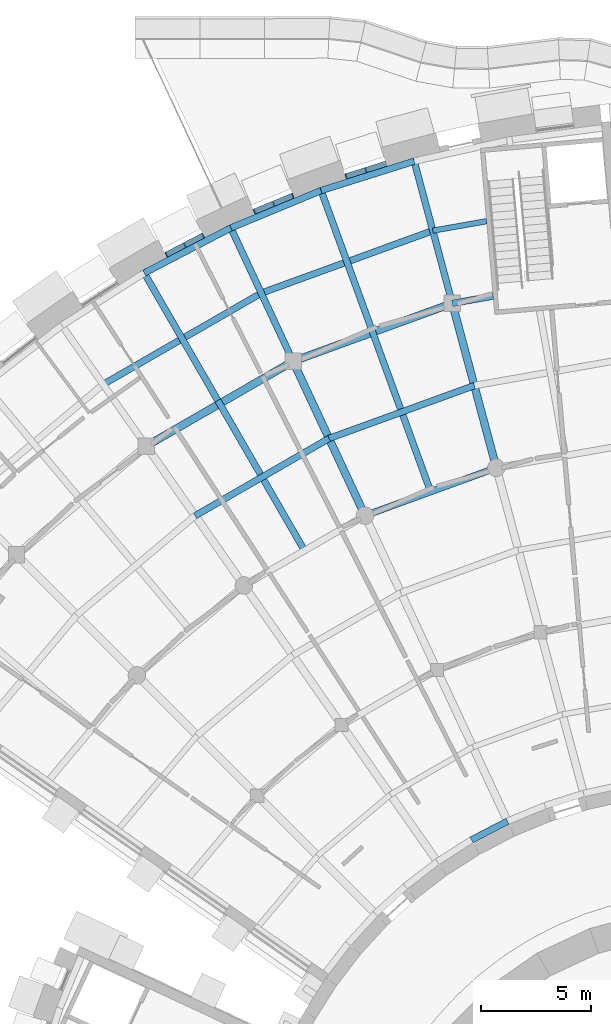
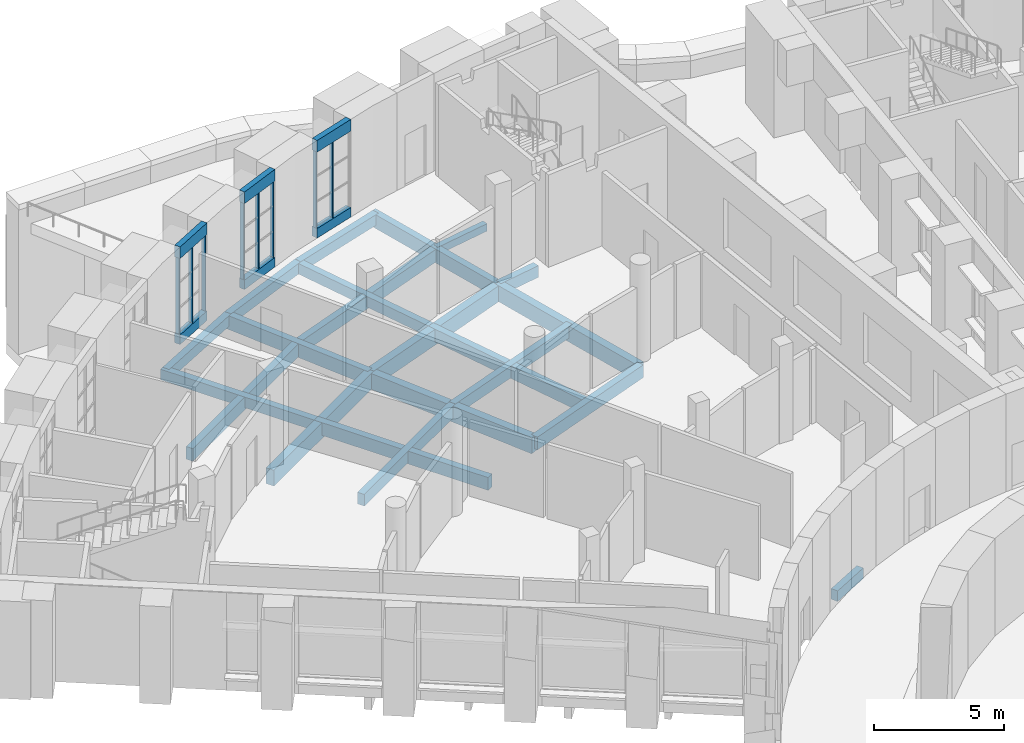
# One storey, part 25 of 85: 27 beams, 8 members, 3 elements without a shape of their own.
"""IFC4 building model written with IfcOpenShell, lengths in metres."""

import ifcopenshell
import ifcopenshell.guid

model = None  # the IFC model being written
_history = None  # IfcOwnerHistory: only IFC2X3 demands one
_inside = {}  # id of a spatial element -> (the spatial element, [elements in it])
_under = {}  # id of a project, library or spatial element -> (it, [spatial elements below it])
_declared = {}  # id of a project -> (the project, [libraries it declares])
_typed = {}  # id of a type object -> (the type object, [elements of that type])
_made_of = {}  # id of a material, layer set ... -> (it, [elements and type objects made of it])


def new_model(schema):
    """Start an empty IFC model of exactly this schema.

    Asked for "IFC4X3", IfcOpenShell would pick the latest addendum, in which some entities
    have other attributes; the version numbers below select the first issue.
    IFC2X3 requires an IfcOwnerHistory on every rooted entity: one is made here for all.
    """
    global model, _history
    if schema == "IFC4X3":
        model = ifcopenshell.file(schema_version=(4, 3, 0, 0))
    else:
        model = ifcopenshell.file(schema=schema)
    _inside.clear()
    _under.clear()
    _declared.clear()
    _typed.clear()
    _made_of.clear()
    _history = None
    if model.schema == "IFC2X3":
        org = make("IfcOrganization", Name="unknown")
        user = make(
            "IfcPersonAndOrganization",
            ThePerson=make("IfcPerson", FamilyName="unknown"),
            TheOrganization=org,
        )
        app = make(
            "IfcApplication",
            ApplicationDeveloper=org,
            Version="unknown",
            ApplicationFullName="unknown",
            ApplicationIdentifier="unknown",
        )
        _history = make(
            "IfcOwnerHistory",
            OwningUser=user,
            OwningApplication=app,
            ChangeAction="ADDED",
            CreationDate=0,
        )
    return model


def make(cls, **values):
    """One entity of the class cls with the attributes given. An attribute that is None is left unset."""
    return model.create_entity(
        cls, **{name: value for name, value in values.items() if value is not None}
    )


def rooted(cls, **values):
    """An entity with a GlobalId (a new one), such as an element, a storey or a relation."""
    return make(cls, GlobalId=ifcopenshell.guid.new(), OwnerHistory=_history, **values)


def si_unit(unit_type, name, prefix=None):
    """IfcSIUnit, for example si_unit("LENGTHUNIT", "METRE", prefix="MILLI")."""
    return make("IfcSIUnit", UnitType=unit_type, Prefix=prefix, Name=name)


def assignment(units):
    """IfcUnitAssignment: the units of a project."""
    return None if units is None else make("IfcUnitAssignment", Units=units)


def point(xyz):
    """IfcCartesianPoint."""
    return None if xyz is None else make("IfcCartesianPoint", Coordinates=xyz)


def direction(xyz):
    """IfcDirection."""
    return None if xyz is None else make("IfcDirection", DirectionRatios=xyz)


def frame(location, z_axis=None, x_axis=None):
    """IfcAxis2Placement3D, a coordinate frame: its origin and axes. An axis left out is left unset."""
    return make(
        "IfcAxis2Placement3D",
        Location=point(location),
        Axis=direction(z_axis),
        RefDirection=direction(x_axis),
    )


def frame_2d(location, x_axis=None):
    """IfcAxis2Placement2D, a coordinate frame in the plane: its origin and x axis."""
    return make(
        "IfcAxis2Placement2D", Location=point(location), RefDirection=direction(x_axis)
    )


def origin():
    """The frame at (0, 0, 0) with its axes left unset."""
    return frame((0.0, 0.0, 0.0))


def origin_2d():
    """The frame at (0, 0) in the plane with its x axis left unset."""
    return frame_2d((0.0, 0.0))


def place(relative_to, where):
    """IfcLocalPlacement: puts the frame where relative to a parent placement (None: the world)."""
    return make(
        "IfcLocalPlacement", PlacementRelTo=relative_to, RelativePlacement=where
    )


def context(
    kind, dimensions, precision=None, world=None, true_north=None, identifier=None
):
    """IfcGeometricRepresentationContext, for example the 3D "Model" context."""
    return make(
        "IfcGeometricRepresentationContext",
        ContextIdentifier=identifier,
        ContextType=kind,
        CoordinateSpaceDimension=dimensions,
        Precision=precision,
        WorldCoordinateSystem=world,
        TrueNorth=true_north,
    )


def subcontext(parent, identifier, kind, view, scale=None):
    """IfcGeometricRepresentationSubContext, for example "Body" below "Model"."""
    return make(
        "IfcGeometricRepresentationSubContext",
        ContextIdentifier=identifier,
        ContextType=kind,
        ParentContext=parent,
        TargetScale=scale,
        TargetView=view,
    )


def project(units=None, contexts=None):
    """IfcProject with its units and contexts."""
    return rooted(
        "IfcProject",
        Name="project",
        RepresentationContexts=contexts,
        UnitsInContext=assignment(units),
    )


def spatial(cls, under=None, at=None, **own):
    """A site, building, storey or space (cls), placed at a placement, below another one or the project."""
    s = rooted(cls, ObjectPlacement=at, **own)
    if under is not None:
        _under.setdefault(under.id(), (under, []))[1].append(s)
    return s


def profile(cls, at=None, kind="AREA", **sizes):
    """A parametric profile (cls). Its sizes go by their IFC names, for example OverallWidth=200.0."""
    return make(cls, ProfileType=kind, Position=at, **sizes)


def rectangle(**sizes):
    """IfcRectangleProfileDef."""
    return profile("IfcRectangleProfileDef", **sizes)


def extrude(swept, where, along, depth):
    """IfcExtrudedAreaSolid: the profile swept, set in the frame where, extruded along a direction by depth."""
    return make(
        "IfcExtrudedAreaSolid",
        SweptArea=swept,
        Position=where,
        ExtrudedDirection=direction(along),
        Depth=depth,
    )


def shape(context_of_items, identifier, shape_type, items):
    """IfcShapeRepresentation: the items that make up one representation, for example the "Body"."""
    return make(
        "IfcShapeRepresentation",
        ContextOfItems=context_of_items,
        RepresentationIdentifier=identifier,
        RepresentationType=shape_type,
        Items=items,
    )


def material(Name=None, Category=None):
    """IfcMaterial."""
    return make("IfcMaterial", Name=Name, Category=Category)


def layer(
    of_material, thickness, ventilated=None, Name=None, Category=None, Priority=None
):
    """IfcMaterialLayer: one layer of a wall or slab, of a material (None: an air gap)."""
    return make(
        "IfcMaterialLayer",
        Material=of_material,
        LayerThickness=thickness,
        IsVentilated=ventilated,
        Name=Name,
        Category=Category,
        Priority=Priority,
    )


def layer_set(layers, Name=None):
    """IfcMaterialLayerSet."""
    return make("IfcMaterialLayerSet", MaterialLayers=layers, LayerSetName=Name)


def material_profile(
    of_material, cross_section, Name=None, Category=None, Priority=None
):
    """IfcMaterialProfile: a cross section and its material."""
    return make(
        "IfcMaterialProfile",
        Name=Name,
        Material=of_material,
        Profile=cross_section,
        Priority=Priority,
        Category=Category,
    )


def profile_set(profiles, Name=None, composite=None):
    """IfcMaterialProfileSet."""
    return make(
        "IfcMaterialProfileSet",
        Name=Name,
        MaterialProfiles=profiles,
        CompositeProfile=composite,
    )


def made_of(thing, what):
    """Note that an element or type object is made of a material, layer set ...; save() writes the relation."""
    if what is not None:
        _made_of.setdefault(what.id(), (what, []))[1].append(thing)
    return thing


def type_object(cls, material=None, **own):
    """A type object (cls), such as IfcWallType, which elements share."""
    return made_of(rooted(cls, **own), material)


def element(
    cls,
    number,
    at=None,
    inside=None,
    cuts=None,
    type_object=None,
    material=None,
    context=None,
    identifier="Body",
    shape_type=None,
    held_by="IfcProductDefinitionShape",
    body=None,
    shapes=None,
    **own,
):
    """One element of the class cls, such as IfcWall. Its Tag is "e" and its number.

    at: its placement. inside: the storey or other place that contains it. cuts: it is an
    opening in that element (IfcRelVoidsElement). A single representation is given by context,
    identifier, shape_type and body (its items); several are given by shapes. held_by: the class
    of the entity that holds the representations. save() writes the other relations.
    """
    e = rooted(cls, Tag="e%d" % number, ObjectPlacement=at, **own)
    if body is not None:
        shapes = [shape(context, identifier, shape_type, body)]
    if shapes is not None:
        e.Representation = make(held_by, Representations=shapes)
    if inside is not None:
        _inside.setdefault(inside.id(), (inside, []))[1].append(e)
    if cuts is not None:
        rooted(
            "IfcRelVoidsElement", RelatingBuildingElement=cuts, RelatedOpeningElement=e
        )
    if type_object is not None:
        _typed.setdefault(type_object.id(), (type_object, []))[1].append(e)
    return made_of(e, material)


def aggregate(whole, parts):
    """IfcRelAggregates: a whole, such as a stair, and the parts it consists of."""
    return rooted("IfcRelAggregates", RelatingObject=whole, RelatedObjects=parts)


def save(model, path):
    """Write the relations noted so far, then the file.

    IfcRelAggregates (storeys below a building ...), IfcRelContainedInSpatialStructure (elements
    in a storey), IfcRelDefinesByType, IfcRelAssociatesMaterial and IfcRelDeclares: one each for
    every whole, place, type object, material and project.
    """
    for whole, parts in _under.values():
        aggregate(whole, parts)
    for where, things in _inside.values():
        rooted(
            "IfcRelContainedInSpatialStructure",
            RelatedElements=things,
            RelatingStructure=where,
        )
    for kind, things in _typed.values():
        rooted("IfcRelDefinesByType", RelatedObjects=things, RelatingType=kind)
    for what, things in _made_of.values():
        rooted("IfcRelAssociatesMaterial", RelatedObjects=things, RelatingMaterial=what)
    for by, libraries in _declared.values():
        rooted("IfcRelDeclares", RelatingContext=by, RelatedDefinitions=libraries)
    model.write(path)


model = new_model("IFC4")

# Units and contexts
model_context = context("Model", 3, precision=1e-05, world=origin(), true_north=direction((0.0, 1.0)))
body_context = subcontext(model_context, "Body", "Model", "MODEL_VIEW")
ifc_project = project(units=[si_unit("LENGTHUNIT", "METRE"), si_unit("AREAUNIT", "SQUARE_METRE"), si_unit("VOLUMEUNIT", "CUBIC_METRE"), si_unit("PLANEANGLEUNIT", "RADIAN"), si_unit("MASSUNIT", "GRAM", prefix="KILO")], contexts=[model_context])

# Site, building, storey
site_placement = place(None, origin())
site = spatial("IfcSite", under=ifc_project, at=site_placement, CompositionType="ELEMENT")
building_placement = place(site_placement, origin())
building = spatial("IfcBuilding", under=site, at=building_placement, Name="Volute Hill Aquarium", CompositionType="ELEMENT")
storey_placement = place(building_placement, origin())
storey = spatial("IfcBuildingStorey", under=building, at=storey_placement, Name="L01", CompositionType="ELEMENT", Elevation=0.0)

# Beams
ifc_material_1 = material(Name="Concrete C35/45", Category="concrete")
ifc_material_profile_1 = material_profile(ifc_material_1, rectangle(XDim=0.300048828125, YDim=0.550048828125, at=origin_2d()), Name="RC beam 300x550")
ifc_profile_set_1 = profile_set([ifc_material_profile_1], Name="Concrete C35/45")
beam_type_1 = type_object("IfcBeamType", Name="Beam 300x550 C35/45", PredefinedType="BEAM", material=ifc_profile_set_1)
beam_1_placement = place(storey_placement, frame((-9.59033203125, 43.070556640625, -0.594970703125), z_axis=(-0.984808243338, -0.173645396866, 0.0), x_axis=(0.173645396866, -0.984808243338, 0.0)))
element("IfcBeam", 1, at=beam_1_placement, inside=storey, type_object=beam_type_1, Name="bm/S6/L01/ring3.27", PredefinedType="BEAM", context=body_context, shape_type="SweptSolid", body=[
    extrude(rectangle(XDim=0.300048828125, YDim=0.550048828125, at=origin_2d()), origin(), (0.0, 0.0, 1.0), 1.89111328125),
])
ifc_material_2 = material(Name="Concrete C35/45", Category="concrete")
ifc_material_profile_2 = material_profile(ifc_material_2, rectangle(XDim=0.300048828125, YDim=0.60009765625, at=origin_2d()), Name="RC beam 300x600")
ifc_profile_set_2 = profile_set([ifc_material_profile_2], Name="Concrete C35/45")
beam_type_2 = type_object("IfcBeamType", Name="Beam 300x600 C35/45", PredefinedType="BEAM", material=ifc_profile_set_2)
beam_2_placement = place(storey_placement, frame((-9.447021484375, 35.25634765625, -0.6201171875), z_axis=(-0.939679092098, -0.342057310804, 0.0), x_axis=(0.342057310804, -0.939679092098, 0.0)))
element("IfcBeam", 2, at=beam_2_placement, inside=storey, type_object=beam_type_2, Name="bm/S6/L01/ring2.23", PredefinedType="BEAM", context=body_context, shape_type="SweptSolid", body=[
    extrude(rectangle(XDim=0.300048828125, YDim=0.60009765625, at=origin_2d()), origin(), (0.0, 0.0, 1.0), 6.3623046875),
])
ifc_material_3 = material(Name="Concrete C35/45", Category="concrete")
ifc_material_profile_3 = material_profile(ifc_material_3, rectangle(XDim=0.300048828125, YDim=0.64990234375, at=origin_2d()), Name="RC beam 300x650")
ifc_profile_set_3 = profile_set([ifc_material_profile_3], Name="Concrete C35/45")
beam_type_3 = type_object("IfcBeamType", Name="Beam 300x650 C35/45", PredefinedType="BEAM", material=ifc_profile_set_3)
beam_3_placement = place(storey_placement, frame((-11.45263671875, 42.7421875, -0.64501953125), z_axis=(-0.258820408031, 0.965925461092, 0.0), x_axis=(-0.965925461092, -0.258820408031, 0.0)))
element("IfcBeam", 3, at=beam_3_placement, inside=storey, type_object=beam_type_3, Name="bm/S6/L01/rad1.4", PredefinedType="BEAM", context=body_context, shape_type="SweptSolid", body=[
    extrude(rectangle(XDim=0.300048828125, YDim=0.64990234375, at=origin_2d()), origin(), (0.0, 0.0, 1.0), 6.85009765625),
])
beam_4_placement = place(storey_placement, frame((-18.700927734375, 40.10400390625, -0.64501953125), z_axis=(-0.422596672801, 0.906317853812, 0.0), x_axis=(-0.906317853812, -0.422596672801, 0.0)))
element("IfcBeam", 4, at=beam_4_placement, inside=storey, type_object=beam_type_3, Name="bm/S6/L01/rad2.8", PredefinedType="BEAM", context=body_context, shape_type="SweptSolid", body=[
    extrude(rectangle(XDim=0.300048828125, YDim=0.64990234375, at=origin_2d()), origin(), (0.0, 0.0, 1.0), 6.849853515625),
])
ifc_material_4 = material(Name="Concrete C35/45", Category="concrete")
ifc_material_profile_4 = material_profile(ifc_material_4, rectangle(XDim=0.35009765625, YDim=0.75, at=origin_2d()), Name="RC beam 350x750")
ifc_profile_set_4 = profile_set([ifc_material_profile_4], Name="Concrete C35/45")
beam_type_4 = type_object("IfcBeamType", Name="Beam 350x750 C35/45", PredefinedType="BEAM", material=ifc_profile_set_4)
beam_5_placement = place(storey_placement, frame((-9.447021484375, 35.25634765625, -0.695068359375), z_axis=(-0.258793822337, 0.965932584356, 0.0), x_axis=(-0.965932584356, -0.258793822337, 0.0)))
element("IfcBeam", 5, at=beam_5_placement, inside=storey, type_object=beam_type_4, Name="bm/S6/L01/rad1.3", PredefinedType="BEAM", context=body_context, shape_type="SweptSolid", body=[
    extrude(rectangle(XDim=0.35009765625, YDim=0.75, at=origin_2d()), origin(), (0.0, 0.0, 1.0), 7.749755859375),
])
beam_6_placement = place(storey_placement, frame((-15.425537109375, 33.080078125, -0.695068359375), z_axis=(-0.422626766283, 0.906303821255, 0.0), x_axis=(-0.906303821255, -0.422626766283, 0.0)))
element("IfcBeam", 6, at=beam_6_placement, inside=storey, type_object=beam_type_4, Name="bm/S6/L01/rad2.7", PredefinedType="BEAM", context=body_context, shape_type="SweptSolid", body=[
    extrude(rectangle(XDim=0.35009765625, YDim=0.75, at=origin_2d()), origin(), (0.0, 0.0, 1.0), 7.75),
])
beam_7_placement = place(storey_placement, frame((-11.45263671875, 42.7421875, -0.695068359375), z_axis=(-0.939691728504, -0.34202259484, 0.0), x_axis=(0.34202259484, -0.939691728504, 0.0)))
element("IfcBeam", 7, at=beam_7_placement, inside=storey, type_object=beam_type_4, Name="bm/S6/L01/ring3.28", PredefinedType="BEAM", context=body_context, shape_type="SweptSolid", body=[
    extrude(rectangle(XDim=0.35009765625, YDim=0.75, at=origin_2d()), origin(), (0.0, 0.0, 1.0), 7.71337890625),
])
beam_8_placement = place(storey_placement, frame((-18.700927734375, 40.10400390625, -0.695068359375), z_axis=(-0.866037474467, -0.499979092382, 0.0), x_axis=(0.499979092382, -0.866037474467, 0.0)))
element("IfcBeam", 8, at=beam_8_placement, inside=storey, type_object=beam_type_4, Name="bm/S6/L01/ring3.29", PredefinedType="BEAM", context=body_context, shape_type="SweptSolid", body=[
    extrude(rectangle(XDim=0.35009765625, YDim=0.75, at=origin_2d()), origin(), (0.0, 0.0, 1.0), 7.713134765625),
])

# Curtain wall, members
ifc_material_5 = material(Name="Aluminium", Category="aluminium")
ifc_layer = layer(ifc_material_5, 0.25)
ifc_layer_set = layer_set([ifc_layer], Name="Curtain wall niche S6 module 967")
curtain_wall_type = type_object("IfcCurtainWallType", Name="Curtain wall niche S6 module 967", PredefinedType="NOTDEFINED", material=ifc_layer_set)
curtain_wall_1_placement = place(storey_placement, origin())
curtain_wall_1 = element("IfcCurtainWall", 9, at=curtain_wall_1_placement, inside=storey, type_object=curtain_wall_type, Name="Curtain wall CW S6 L01 3", PredefinedType="NOTDEFINED")
ifc_material_6 = material(Name="Aluminium", Category="aluminium")
ifc_material_profile_5 = material_profile(ifc_material_6, rectangle(XDim=0.169921875, YDim=0.050048828125, at=origin_2d()), Name="Curtain wall mullion S6 50x170")
ifc_profile_set_5 = profile_set([ifc_material_profile_5], Name="Aluminium")
member_type = type_object("IfcMemberType", Name="Curtain wall mullion S6 50x170", PredefinedType="MULLION", material=ifc_profile_set_5)
member_1_placement = place(storey_placement, frame((-15.388916015625, 48.807373046875, 0.449951171875), z_axis=(0.0, 0.0, 1.0), x_axis=(0.300706406582, -0.953716759337, 0.0)))
member_1 = element("IfcMember", 10, at=member_1_placement, type_object=member_type, Name="CW mullion 2", PredefinedType="MULLION", context=body_context, shape_type="SweptSolid", body=[
    extrude(rectangle(XDim=0.169921875, YDim=0.050048828125, at=origin_2d()), origin(), (0.0, 0.0, 1.0), 3.60009765625),
])
member_2_placement = place(storey_placement, frame((-16.287109375, 48.524169921875, 0.449951171875), z_axis=(0.0, 0.0, 1.0), x_axis=(0.300706406582, -0.953716759337, 0.0)))
member_2 = element("IfcMember", 11, at=member_2_placement, type_object=member_type, Name="CW mullion 3", PredefinedType="MULLION", context=body_context, shape_type="SweptSolid", body=[
    extrude(rectangle(XDim=0.169921875, YDim=0.050048828125, at=origin_2d()), origin(), (0.0, 0.0, 1.0), 3.60009765625),
])
aggregate(curtain_wall_1, [member_1, member_2])

curtain_wall_2_placement = place(storey_placement, origin())
curtain_wall_2 = element("IfcCurtainWall", 12, at=curtain_wall_2_placement, inside=storey, type_object=curtain_wall_type, Name="Curtain wall CW S6 L01 4", PredefinedType="NOTDEFINED")
member_3_placement = place(storey_placement, frame((-18.7138671875, 47.640869140625, 0.449951171875), z_axis=(0.0, 0.0, 1.0), x_axis=(0.382679860378, -0.923881012069, 0.0)))
member_3 = element("IfcMember", 13, at=member_3_placement, type_object=member_type, Name="CW mullion 1", PredefinedType="MULLION", context=body_context, shape_type="SweptSolid", body=[
    extrude(rectangle(XDim=0.169921875, YDim=0.050048828125, at=origin_2d()), origin(), (0.0, 0.0, 1.0), 3.60009765625),
])
member_4_placement = place(storey_placement, frame((-19.584228515625, 47.280517578125, 0.449951171875), z_axis=(0.0, 0.0, 1.0), x_axis=(0.382679860378, -0.923881012069, 0.0)))
member_4 = element("IfcMember", 14, at=member_4_placement, type_object=member_type, Name="CW mullion 2", PredefinedType="MULLION", context=body_context, shape_type="SweptSolid", body=[
    extrude(rectangle(XDim=0.169921875, YDim=0.050048828125, at=origin_2d()), origin(), (0.0, 0.0, 1.0), 3.60009765625),
])
member_5_placement = place(storey_placement, frame((-20.454345703125, 46.919921875, 0.449951171875), z_axis=(0.0, 0.0, 1.0), x_axis=(0.382679860378, -0.923881012069, 0.0)))
member_5 = element("IfcMember", 15, at=member_5_placement, type_object=member_type, Name="CW mullion 3", PredefinedType="MULLION", context=body_context, shape_type="SweptSolid", body=[
    extrude(rectangle(XDim=0.169921875, YDim=0.050048828125, at=origin_2d()), origin(), (0.0, 0.0, 1.0), 3.60009765625),
])
aggregate(curtain_wall_2, [member_3, member_4, member_5])

curtain_wall_3_placement = place(storey_placement, origin())
curtain_wall_3 = element("IfcCurtainWall", 16, at=curtain_wall_3_placement, inside=storey, type_object=curtain_wall_type, Name="Curtain wall CW S6 L01 5", PredefinedType="NOTDEFINED")
member_6_placement = place(storey_placement, frame((-22.794921875, 45.82861328125, 0.449951171875), z_axis=(0.0, 0.0, 1.0), x_axis=(0.461759580356, -0.88700512397, 0.0)))
member_6 = element("IfcMember", 17, at=member_6_placement, type_object=member_type, Name="CW mullion 1", PredefinedType="MULLION", context=body_context, shape_type="SweptSolid", body=[
    extrude(rectangle(XDim=0.169921875, YDim=0.050048828125, at=origin_2d()), origin(), (0.0, 0.0, 1.0), 3.60009765625),
])
member_7_placement = place(storey_placement, frame((-23.63037109375, 45.3935546875, 0.449951171875), z_axis=(0.0, 0.0, 1.0), x_axis=(0.461759580356, -0.88700512397, 0.0)))
member_7 = element("IfcMember", 18, at=member_7_placement, type_object=member_type, Name="CW mullion 2", PredefinedType="MULLION", context=body_context, shape_type="SweptSolid", body=[
    extrude(rectangle(XDim=0.169921875, YDim=0.050048828125, at=origin_2d()), origin(), (0.0, 0.0, 1.0), 3.60009765625),
])
member_8_placement = place(storey_placement, frame((-24.4658203125, 44.958740234375, 0.449951171875), z_axis=(0.0, 0.0, 1.0), x_axis=(0.461759580356, -0.88700512397, 0.0)))
member_8 = element("IfcMember", 19, at=member_8_placement, type_object=member_type, Name="CW mullion 3", PredefinedType="MULLION", context=body_context, shape_type="SweptSolid", body=[
    extrude(rectangle(XDim=0.169921875, YDim=0.050048828125, at=origin_2d()), origin(), (0.0, 0.0, 1.0), 3.60009765625),
])
aggregate(curtain_wall_3, [member_6, member_7, member_8])

# Beams
ifc_material_7 = material(Name="Concrete C35/45", Category="concrete")
ifc_material_profile_6 = material_profile(ifc_material_7, rectangle(XDim=0.300048828125, YDim=0.5, at=origin_2d()), Name="RC edge beam 300x500")
ifc_profile_set_6 = profile_set([ifc_material_profile_6], Name="Concrete C35/45")
beam_type_5 = type_object("IfcBeamType", Name="Edge beam 300x500 C35/45", PredefinedType="BEAM", material=ifc_profile_set_6)
beam_9_placement = place(storey_placement, frame((-8.9384765625, 19.16845703125, -0.570068359375), z_axis=(-0.887058600994, -0.461656840523, 0.0), x_axis=(0.461656840523, -0.887058600994, 0.0)))
element("IfcBeam", 20, at=beam_9_placement, inside=storey, type_object=beam_type_5, Name="bm/S6/L01/edgeD.36", PredefinedType="BEAM", context=body_context, shape_type="SweptSolid", body=[
    extrude(rectangle(XDim=0.300048828125, YDim=0.5, at=origin_2d()), origin(), (0.0, 0.0, 1.0), 1.84521484375),
])
for number, where, z_axis, x_axis, name in (
    (21, (-13.186767578125, 49.2138671875, -0.570068359375), (-0.953709591964, -0.300729137591, 0.0), (0.300729137591, -0.953709591964, 0.0), "bm/S6/L01/edgeO.44"),
    (22, (-17.42578125, 47.877197265625, -0.570068359375), (-0.923880933045, -0.382680051161, 0.0), (0.382680051161, -0.923880933045, 0.0), "bm/S6/L01/edgeO.45"),
    (23, (-21.5322265625, 46.17626953125, -0.570068359375), (-0.887002673566, -0.461764287366, 0.0), (0.461764287366, -0.887002673566, 0.0), "bm/S6/L01/edgeO.46"),
):
    element("IfcBeam", number, at=place(storey_placement, frame(where, z_axis=z_axis, x_axis=x_axis)), inside=storey, type_object=beam_type_5, Name=name, PredefinedType="BEAM", context=body_context, shape_type="SweptSolid", body=[
        extrude(rectangle(XDim=0.300048828125, YDim=0.5, at=origin_2d()), origin(), (0.0, 0.0, 1.0), 4.44482421875),
    ])
ifc_material_8 = material(Name="Concrete C35/45", Category="concrete")
ifc_material_profile_7 = material_profile(ifc_material_8, rectangle(XDim=0.25, YDim=0.35009765625, at=origin_2d()), Name="RC joist 250x350")
ifc_profile_set_7 = profile_set([ifc_material_profile_7], Name="Concrete C35/45")
beam_type_6 = type_object("IfcBeamType", Name="Joist 250x350 C35/45", PredefinedType="BEAM", material=ifc_profile_set_7)
beam_10_placement = place(storey_placement, frame((-9.888916015625, 46.482666015625, -0.4951171875), z_axis=(-0.984801335043, -0.173684571844, 0.0), x_axis=(0.173684571844, -0.984801335043, 0.0)))
element("IfcBeam", 24, at=beam_10_placement, inside=storey, type_object=beam_type_6, Name="bm/S6/L01/jst16", PredefinedType="BEAM", context=body_context, shape_type="SweptSolid", body=[
    extrude(rectangle(XDim=0.25, YDim=0.35009765625, at=origin_2d()), origin(), (0.0, 0.0, 1.0), 2.488037109375),
])
ifc_material_9 = material(Name="Concrete C35/45", Category="concrete")
ifc_material_profile_8 = material_profile(ifc_material_9, rectangle(XDim=0.300048828125, YDim=0.5, at=origin_2d()), Name="RC joist 300x500")
ifc_profile_set_8 = profile_set([ifc_material_profile_8], Name="Concrete C35/45")
beam_type_7 = type_object("IfcBeamType", Name="Joist 300x500 C35/45", PredefinedType="BEAM", material=ifc_profile_set_8)
for number, where, z_axis, x_axis, name in (
    (25, (-15.134521484375, 41.581298828125, -0.570068359375), (-0.342006321172, 0.939697651523, 0.0), (-0.939697651523, -0.342006321172, 0.0), "bm/S6/L01/rjst7"),
    (26, (-22.125, 38.321533203125, -0.570068359375), (-0.499999086063, 0.866025931445, 0.0), (-0.866025931445, -0.499999086063, 0.0), "bm/S6/L01/rjst8"),
):
    element("IfcBeam", number, at=place(storey_placement, frame(where, z_axis=z_axis, x_axis=x_axis)), inside=storey, type_object=beam_type_7, Name=name, PredefinedType="BEAM", context=body_context, shape_type="SweptSolid", body=[
        extrude(rectangle(XDim=0.300048828125, YDim=0.5, at=origin_2d()), origin(), (0.0, 0.0, 1.0), 6.85009765625),
    ])
ifc_material_10 = material(Name="Concrete C35/45", Category="concrete")
ifc_material_profile_9 = material_profile(ifc_material_10, rectangle(XDim=0.300048828125, YDim=0.550048828125, at=origin_2d()), Name="RC joist 300x550")
ifc_profile_set_9 = profile_set([ifc_material_profile_9], Name="Concrete C35/45")
beam_type_8 = type_object("IfcBeamType", Name="Joist 300x550 C35/45", PredefinedType="BEAM", material=ifc_profile_set_9)
for number, where, z_axis, x_axis, name in (
    (27, (-10.44970703125, 38.999267578125, -0.594970703125), (-0.939699194872, -0.342002080632, 0.0), (0.342002080632, -0.939699194872, 0.0), "bm/S6/L01/jst12"),
    (28, (-17.063232421875, 36.59228515625, -0.594970703125), (-0.866018636338, -0.500011721377, 0.0), (0.500011721377, -0.866018636338, 0.0), "bm/S6/L01/jst13"),
):
    element("IfcBeam", number, at=place(storey_placement, frame(where, z_axis=z_axis, x_axis=x_axis)), inside=storey, type_object=beam_type_8, Name=name, PredefinedType="BEAM", context=body_context, shape_type="SweptSolid", body=[
        extrude(rectangle(XDim=0.300048828125, YDim=0.550048828125, at=origin_2d()), origin(), (0.0, 0.0, 1.0), 7.037841796875),
    ])
ifc_material_11 = material(Name="Concrete C35/45", Category="concrete")
ifc_material_profile_10 = material_profile(ifc_material_11, rectangle(XDim=0.300048828125, YDim=0.60009765625, at=origin_2d()), Name="RC joist 300x600")
ifc_profile_set_10 = profile_set([ifc_material_profile_10], Name="Concrete C35/45")
beam_type_9 = type_object("IfcBeamType", Name="Joist 300x600 C35/45", PredefinedType="BEAM", material=ifc_profile_set_10)
beam_11_placement = place(storey_placement, frame((-12.339111328125, 46.050537109375, -0.6201171875), z_axis=(-0.939692166751, -0.342021390774, 0.0), x_axis=(0.342021390774, -0.939692166751, 0.0)))
element("IfcBeam", 29, at=beam_11_placement, inside=storey, type_object=beam_type_9, Name="bm/S6/L01/jst17", PredefinedType="BEAM", context=body_context, shape_type="SweptSolid", body=[
    extrude(rectangle(XDim=0.300048828125, YDim=0.60009765625, at=origin_2d()), origin(), (0.0, 0.0, 1.0), 8.310302734375),
])
beam_12_placement = place(storey_placement, frame((-20.148193359375, 43.208251953125, -0.6201171875), z_axis=(-0.866021696715, -0.500006420777, 0.0), x_axis=(0.500006420777, -0.866021696715, 0.0)))
element("IfcBeam", 30, at=beam_12_placement, inside=storey, type_object=beam_type_9, Name="bm/S6/L01/jst18", PredefinedType="BEAM", context=body_context, shape_type="SweptSolid", body=[
    extrude(rectangle(XDim=0.300048828125, YDim=0.60009765625, at=origin_2d()), origin(), (0.0, 0.0, 1.0), 8.310546875),
])
for number, where, z_axis, x_axis, name in (
    (31, (-12.483642578125, 34.298828125, -0.6201171875), (-0.342051628927, 0.939681160367, 0.0), (-0.939681160367, -0.342051628927, 0.0), "bm/S6/L01/rjst2"),
    (32, (-18.25, 31.60986328125, -0.6201171875), (-0.500001506187, 0.866024534185, 0.0), (-0.866024534185, -0.500001506187, 0.0), "bm/S6/L01/rjst3"),
):
    element("IfcBeam", number, at=place(storey_placement, frame(where, z_axis=z_axis, x_axis=x_axis)), inside=storey, type_object=beam_type_9, Name=name, PredefinedType="BEAM", context=body_context, shape_type="SweptSolid", body=[
        extrude(rectangle(XDim=0.300048828125, YDim=0.60009765625, at=origin_2d()), origin(), (0.0, 0.0, 1.0), 7.75),
    ])
ifc_material_12 = material(Name="Concrete C35/45", Category="concrete")
ifc_material_profile_11 = material_profile(ifc_material_12, rectangle(XDim=0.25, YDim=0.550048828125, at=origin_2d()), Name="RC beam 250x550")
ifc_profile_set_11 = profile_set([ifc_material_profile_11], Name="Concrete C35/45")
beam_type_10 = type_object("IfcBeamType", Name="Niche head beam RC 250x550 C35/45", PredefinedType="BEAM", material=ifc_profile_set_11)
for number, where, z_axis, x_axis, name in (
    (33, (-14.466796875, 49.09814453125, 4.324951171875), (-0.953708515851, -0.300732550272, 0.0), (0.300732550272, -0.953708515851, 0.0), "Niche head beam OWB S6 L01 3"),
    (34, (-18.69091796875, 47.650390625, 4.324951171875), (-0.923889122179, -0.382660280039, 0.0), (0.382660280039, -0.923889122179, 0.0), "Niche head beam OWB S6 L01 4"),
    (35, (-22.772705078125, 45.840087890625, 4.324951171875), (-0.887036898241, -0.461698539264, 0.0), (0.461698539264, -0.887036898241, 0.0), "Niche head beam OWB S6 L01 5"),
):
    element("IfcBeam", number, at=place(storey_placement, frame(where, z_axis=z_axis, x_axis=x_axis)), inside=storey, type_object=beam_type_10, Name=name, PredefinedType="BEAM", context=body_context, shape_type="SweptSolid", body=[
        extrude(rectangle(XDim=0.25, YDim=0.550048828125, at=origin_2d()), origin(), (0.0, 0.0, 1.0), 1.933837890625),
    ])
ifc_material_13 = material(Name="Concrete C35/45", Category="concrete")
ifc_material_profile_12 = material_profile(ifc_material_13, rectangle(XDim=0.25, YDim=0.449951171875, at=origin_2d()), Name="RC beam 250x450")
ifc_profile_set_12 = profile_set([ifc_material_profile_12], Name="Concrete C35/45")
beam_type_11 = type_object("IfcBeamType", Name="Niche sill beam RC 250x450 C35/45", PredefinedType="BEAM", material=ifc_profile_set_12)
for number, where, z_axis, x_axis, name in (
    (36, (-14.466796875, 49.09814453125, 0.22509765625), (-0.953708515851, -0.300732550272, 0.0), (0.300732550272, -0.953708515851, 0.0), "Niche sill beam OWB S6 L01 3"),
    (37, (-18.69091796875, 47.650390625, 0.22509765625), (-0.923889122179, -0.382660280039, 0.0), (0.382660280039, -0.923889122179, 0.0), "Niche sill beam OWB S6 L01 4"),
    (38, (-22.772705078125, 45.840087890625, 0.22509765625), (-0.887036898241, -0.461698539264, 0.0), (0.461698539264, -0.887036898241, 0.0), "Niche sill beam OWB S6 L01 5"),
):
    element("IfcBeam", number, at=place(storey_placement, frame(where, z_axis=z_axis, x_axis=x_axis)), inside=storey, type_object=beam_type_11, Name=name, PredefinedType="BEAM", context=body_context, shape_type="SweptSolid", body=[
        extrude(rectangle(XDim=0.25, YDim=0.449951171875, at=origin_2d()), origin(), (0.0, 0.0, 1.0), 1.933837890625),
    ])

save(model, "model.ifc")
